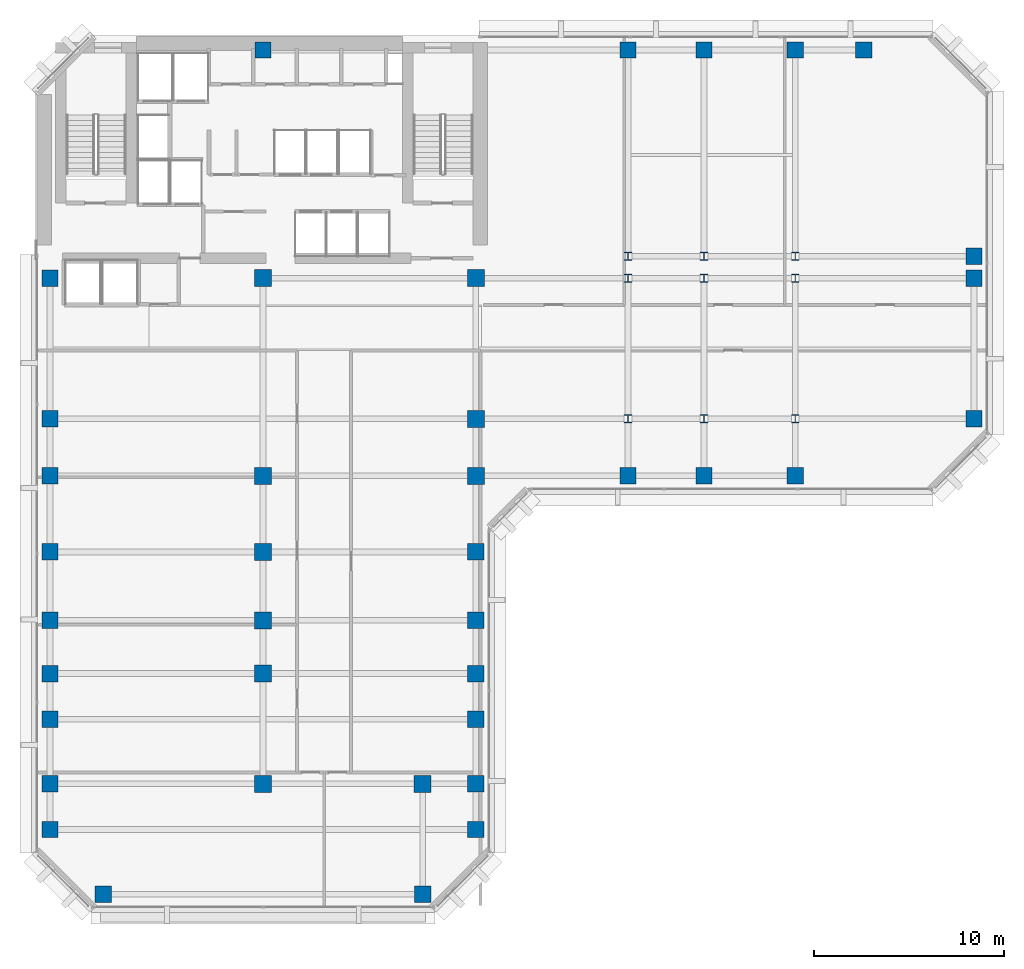
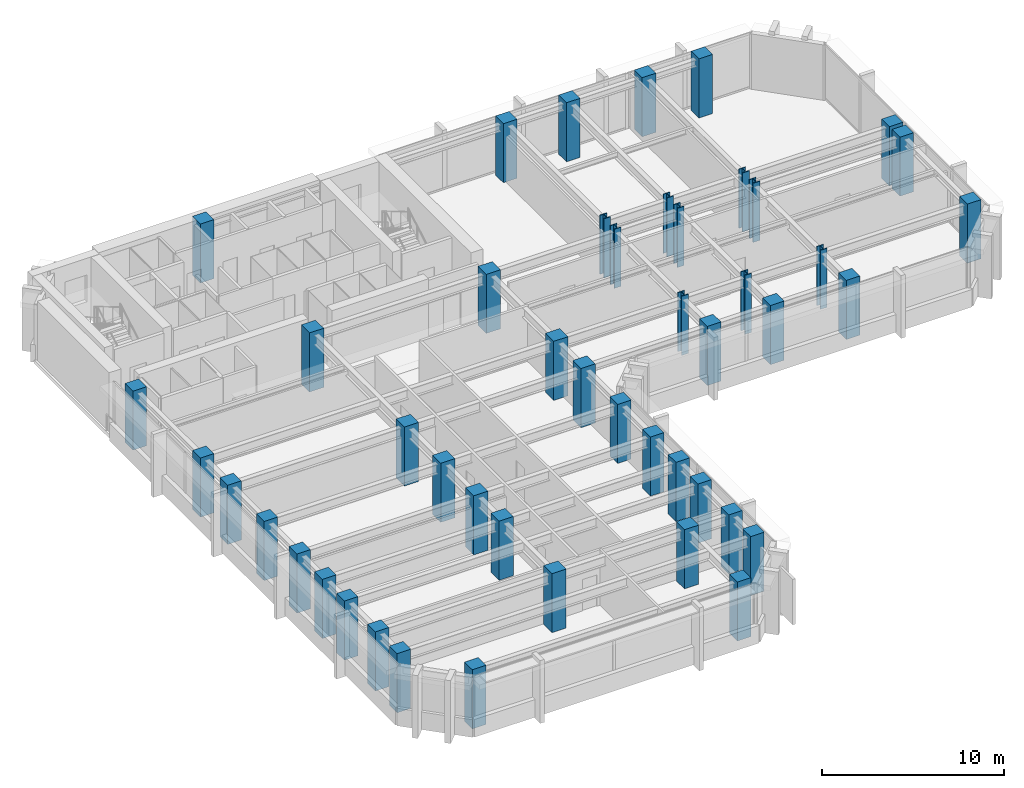
# One storey, part 1 of 11: 47 columns.
"""IFC4 building model written with IfcOpenShell, lengths in metres."""

from ifc_helpers import new_model, si_unit, direction, frame, origin, origin_2d, place, context, subcontext, project, spatial, rectangle, i_section, extrude, material, material_profile, profile_set, type_object, element, save


model = new_model("IFC4")

# Units and contexts
model_context = context("Model", 3, precision=1e-05, world=origin(), true_north=direction((0.0, 1.0)))
body_context = subcontext(model_context, "Body", "Model", "MODEL_VIEW")
ifc_project = project(units=[si_unit("LENGTHUNIT", "METRE"), si_unit("AREAUNIT", "SQUARE_METRE"), si_unit("VOLUMEUNIT", "CUBIC_METRE"), si_unit("PLANEANGLEUNIT", "RADIAN"), si_unit("MASSUNIT", "GRAM", prefix="KILO")], contexts=[model_context])

# Site, building, storey
site_placement = place(None, origin())
site = spatial("IfcSite", under=ifc_project, at=site_placement, CompositionType="ELEMENT")
building_placement = place(site_placement, origin())
building = spatial("IfcBuilding", under=site, at=building_placement, Name="Kefirva Bronze Tower", CompositionType="ELEMENT")
storey_placement = place(building_placement, frame((0.0, 0.0, 166.64990234375)))
storey = spatial("IfcBuildingStorey", under=building, at=storey_placement, Name="L40", CompositionType="ELEMENT", Elevation=166.64990234375)

# Columns
ifc_material_1 = material(Name="Concrete C60/75", Category="concrete")
ifc_material_profile_1 = material_profile(ifc_material_1, rectangle(XDim=0.860107421875, YDim=0.860107421875, at=origin_2d()), Name="RC 860x860")
ifc_profile_set_1 = profile_set([ifc_material_profile_1], Name="Concrete C60/75")
column_type_1 = type_object("IfcColumnType", Name="RC Column 860x860 Ext", PredefinedType="COLUMN", material=ifc_profile_set_1)
for number, where, z_axis, x_axis, name in (
    (1, (0.800048828125, 4.199951171875, 0.0), (0.0, 0.0, 1.0), (1.0, 0.0, 0.0), "L40 Column C008_042"),
    (2, (0.800048828125, 6.60009765625, 0.0), (0.0, 0.0, 1.0), (1.0, 0.0, 0.0), "L40 Column C008_066"),
    (3, (0.800048828125, 10.0, 0.0), (0.0, 0.0, 1.0), (1.0, 0.0, 0.0), "L40 Column C008_100"),
    (4, (0.800048828125, 12.39990234375, 0.0), (0.0, 0.0, 1.0), (1.0, 0.0, 0.0), "L40 Column C008_124"),
    (5, (0.800048828125, 15.199951171875, 0.0), (0.0, 0.0, 1.0), (1.0, 0.0, 0.0), "L40 Column C008_152"),
    (6, (0.800048828125, 18.800048828125, 0.0), (0.0, 0.0, 1.0), (1.0, 0.0, 0.0), "L40 Column C008_188"),
    (7, (0.800048828125, 22.800048828125, 0.0), (0.0, 0.0, 1.0), (1.0, 0.0, 0.0), "L40 Column C008_228"),
    (8, (0.800048828125, 25.800048828125, 0.0), (0.0, 0.0, 1.0), (1.0, 0.0, 0.0), "L40 Column C008_258"),
    (9, (0.800048828125, 33.199951171875, 0.0), (0.0, 0.0, 1.0), (1.0, 0.0, 0.0), "L40 Column C008_332"),
    (10, (3.60009765625, 0.800048828125, 0.0), (0.0, 0.0, 1.0), (1.0, 0.0, 0.0), "L40 Column C036_008"),
    (11, (12.0, 45.199951171875, 0.0), (0.0, 0.0, 1.0), (1.0, 0.0, 0.0), "L40 Column C120_452"),
    (12, (20.39990234375, 0.800048828125, 0.0), (0.0, 0.0, 1.0), (1.0, 0.0, 0.0), "L40 Column C204_008"),
    (13, (23.199951171875, 4.199951171875, 0.0), (0.0, 0.0, 1.0), (1.0, 0.0, 0.0), "L40 Column C232_042"),
    (14, (23.199951171875, 6.60009765625, 0.0), (0.0, 0.0, 1.0), (1.0, 0.0, 0.0), "L40 Column C232_066"),
    (15, (23.199951171875, 10.0, 0.0), (0.0, 0.0, 1.0), (1.0, 0.0, 0.0), "L40 Column C232_100"),
    (16, (23.199951171875, 12.39990234375, 0.0), (0.0, 0.0, 1.0), (1.0, 0.0, 0.0), "L40 Column C232_124"),
    (17, (23.199951171875, 15.199951171875, 0.0), (0.0, 0.0, 1.0), (1.0, 0.0, 0.0), "L40 Column C232_152"),
    (18, (23.199951171875, 18.800048828125, 0.0), (0.0, 0.0, 1.0), (1.0, 0.0, 0.0), "L40 Column C232_188"),
    (19, (31.199951171875, 22.800048828125, 0.0), (0.0, 0.0, 1.0), (1.0, 0.0, 0.0), "L40 Column C312_228"),
    (20, (31.199951171875, 45.199951171875, 0.0), (0.0, 0.0, 1.0), (1.0, 0.0, 0.0), "L40 Column C312_452"),
    (21, (35.199951171875, 22.800048828125, 0.0), (0.0, 0.0, 1.0), (1.0, 0.0, 0.0), "L40 Column C352_228"),
    (22, (35.199951171875, 45.199951171875, 0.0), (0.0, 0.0, 1.0), (1.0, 0.0, 0.0), "L40 Column C352_452"),
    (23, (40.0, 22.800048828125, 0.0), (0.0, 0.0, 1.0), (1.0, 0.0, 0.0), "L40 Column C400_228"),
    (24, (40.0, 45.199951171875, 0.0), (0.0, 0.0, 1.0), (1.0, 0.0, 0.0), "L40 Column C400_452"),
    (25, (43.60009765625, 45.199951171875, 0.0), (0.0, 0.0, 1.0), (1.0, 0.0, 0.0), "L40 Column C436_452"),
    (26, (49.39990234375, 25.800048828125, 0.0), (0.0, 0.0, 1.0), (1.0, 0.0, 0.0), "L40 Column C494_258"),
    (27, (49.39990234375, 33.199951171875, 0.0), (0.0, 0.0, 1.0), (1.0, 0.0, 0.0), "L40 Column C494_332"),
    (28, (49.39990234375, 34.35009765625, 0.0), (0.0, 0.0, 1.0), (1.0, 0.0, 0.0), "L40 Column C494_344"),
):
    element("IfcColumn", number, at=place(storey_placement, frame(where, z_axis=z_axis, x_axis=x_axis)), inside=storey, type_object=column_type_1, Name=name, PredefinedType="COLUMN", context=body_context, shape_type="SweptSolid", body=[
        extrude(rectangle(XDim=0.860107421875, YDim=0.860107421875, at=origin_2d()), origin(), (0.0, 0.0, 1.0), 3.960205078125),
    ])
ifc_material_profile_2 = material_profile(ifc_material_1, rectangle(XDim=0.89990234375, YDim=0.89990234375, at=origin_2d()), Name="RC 900x900")
ifc_profile_set_2 = profile_set([ifc_material_profile_2], Name="Concrete C60/75")
column_type_2 = type_object("IfcColumnType", Name="RC Column 900x900 Int", PredefinedType="COLUMN", material=ifc_profile_set_2)
for number, where, z_axis, x_axis, name in (
    (29, (12.0, 6.60009765625, 0.0), (0.0, 0.0, 1.0), (1.0, 0.0, 0.0), "L40 Column C120_066"),
    (30, (12.0, 12.39990234375, 0.0), (0.0, 0.0, 1.0), (1.0, 0.0, 0.0), "L40 Column C120_124"),
    (31, (12.0, 15.199951171875, 0.0), (0.0, 0.0, 1.0), (1.0, 0.0, 0.0), "L40 Column C120_152"),
    (32, (12.0, 18.800048828125, 0.0), (0.0, 0.0, 1.0), (1.0, 0.0, 0.0), "L40 Column C120_188"),
    (33, (12.0, 22.800048828125, 0.0), (0.0, 0.0, 1.0), (1.0, 0.0, 0.0), "L40 Column C120_228"),
    (34, (12.0, 33.199951171875, 0.0), (0.0, 0.0, 1.0), (1.0, 0.0, 0.0), "L40 Column C120_332"),
    (35, (20.39990234375, 6.60009765625, 0.0), (0.0, 0.0, 1.0), (1.0, 0.0, 0.0), "L40 Column C204_066"),
    (36, (23.199951171875, 22.800048828125, 0.0), (0.0, 0.0, 1.0), (1.0, 0.0, 0.0), "L40 Column C232_228"),
    (37, (23.199951171875, 25.800048828125, 0.0), (0.0, 0.0, 1.0), (1.0, 0.0, 0.0), "L40 Column C232_258"),
    (38, (23.199951171875, 33.199951171875, 0.0), (0.0, 0.0, 1.0), (1.0, 0.0, 0.0), "L40 Column C232_332"),
):
    element("IfcColumn", number, at=place(storey_placement, frame(where, z_axis=z_axis, x_axis=x_axis)), inside=storey, type_object=column_type_2, Name=name, PredefinedType="COLUMN", context=body_context, shape_type="SweptSolid", body=[
        extrude(rectangle(XDim=0.89990234375, YDim=0.89990234375, at=origin_2d()), origin(), (0.0, 0.0, 1.0), 3.960205078125),
    ])
ifc_material_2 = material(Name="Steel S460", Category="steel")
ifc_material_profile_3 = material_profile(ifc_material_2, i_section(OverallWidth=0.41796875, OverallDepth=0.455078125, WebThickness=0.031982421875, FlangeThickness=0.051025390625, at=origin_2d()), Name="HD 400x551")
ifc_profile_set_3 = profile_set([ifc_material_profile_3], Name="Steel S460")
column_type_3 = type_object("IfcColumnType", Name="Steel Column HD 400x551", PredefinedType="COLUMN", material=ifc_profile_set_3)
for number, where, z_axis, x_axis, name in (
    (39, (31.199951171875, 25.800048828125, 0.0), (0.0, 0.0, 1.0), (1.0, 0.0, 0.0), "L40 Column C312_258"),
    (40, (31.199951171875, 33.199951171875, 0.0), (0.0, 0.0, 1.0), (1.0, 0.0, 0.0), "L40 Column C312_332"),
    (41, (31.199951171875, 34.35009765625, 0.0), (0.0, 0.0, 1.0), (1.0, 0.0, 0.0), "L40 Column C312_344"),
    (42, (35.199951171875, 25.800048828125, 0.0), (0.0, 0.0, 1.0), (1.0, 0.0, 0.0), "L40 Column C352_258"),
    (43, (35.199951171875, 33.199951171875, 0.0), (0.0, 0.0, 1.0), (1.0, 0.0, 0.0), "L40 Column C352_332"),
    (44, (35.199951171875, 34.35009765625, 0.0), (0.0, 0.0, 1.0), (1.0, 0.0, 0.0), "L40 Column C352_344"),
    (45, (40.0, 25.800048828125, 0.0), (0.0, 0.0, 1.0), (1.0, 0.0, 0.0), "L40 Column C400_258"),
    (46, (40.0, 33.199951171875, 0.0), (0.0, 0.0, 1.0), (1.0, 0.0, 0.0), "L40 Column C400_332"),
    (47, (40.0, 34.35009765625, 0.0), (0.0, 0.0, 1.0), (1.0, 0.0, 0.0), "L40 Column C400_344"),
):
    element("IfcColumn", number, at=place(storey_placement, frame(where, z_axis=z_axis, x_axis=x_axis)), inside=storey, type_object=column_type_3, Name=name, PredefinedType="COLUMN", context=body_context, shape_type="SweptSolid", body=[
        extrude(i_section(OverallWidth=0.41796875, OverallDepth=0.455078125, WebThickness=0.031982421875, FlangeThickness=0.051025390625, at=origin_2d()), origin(), (0.0, 0.0, 1.0), 3.960205078125),
    ])

save(model, "model.ifc")
